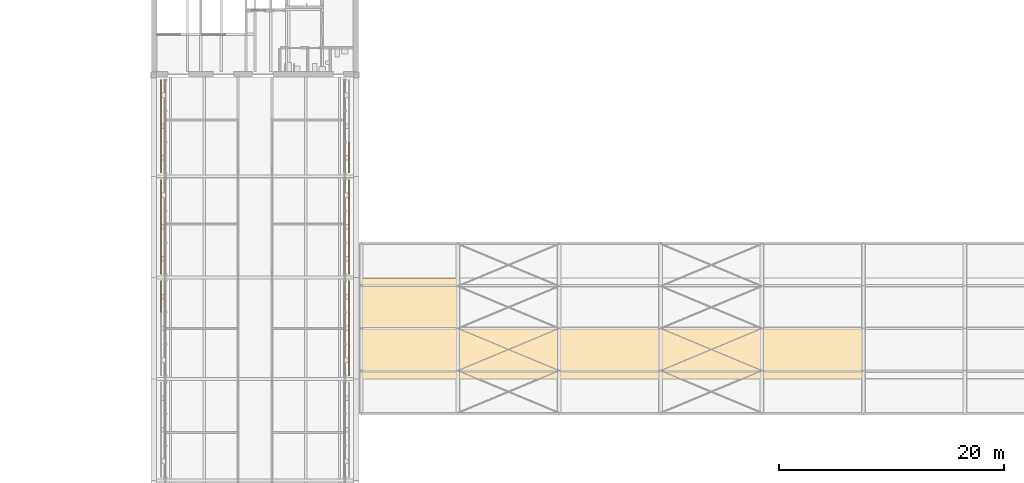
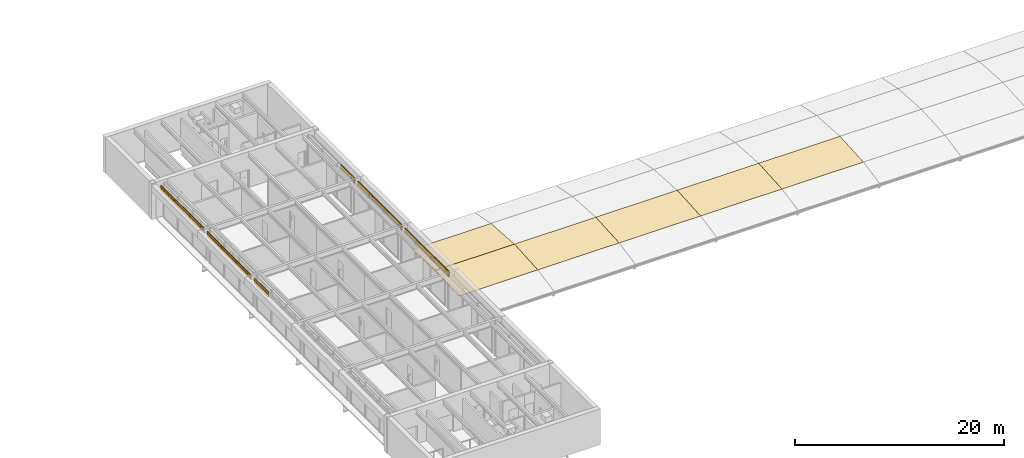
# One storey, part 38 of 43: 14 shading devices, 6 coverings.
"""IFC4 building model written with IfcOpenShell, lengths in metres."""

import ifcopenshell
import ifcopenshell.guid

model = None  # the IFC model being written
_history = None  # IfcOwnerHistory: only IFC2X3 demands one
_inside = {}  # id of a spatial element -> (the spatial element, [elements in it])
_under = {}  # id of a project, library or spatial element -> (it, [spatial elements below it])
_declared = {}  # id of a project -> (the project, [libraries it declares])
_typed = {}  # id of a type object -> (the type object, [elements of that type])
_made_of = {}  # id of a material, layer set ... -> (it, [elements and type objects made of it])


def new_model(schema):
    """Start an empty IFC model of exactly this schema.

    Asked for "IFC4X3", IfcOpenShell would pick the latest addendum, in which some entities
    have other attributes; the version numbers below select the first issue.
    IFC2X3 requires an IfcOwnerHistory on every rooted entity: one is made here for all.
    """
    global model, _history
    if schema == "IFC4X3":
        model = ifcopenshell.file(schema_version=(4, 3, 0, 0))
    else:
        model = ifcopenshell.file(schema=schema)
    _inside.clear()
    _under.clear()
    _declared.clear()
    _typed.clear()
    _made_of.clear()
    _history = None
    if model.schema == "IFC2X3":
        org = make("IfcOrganization", Name="unknown")
        user = make(
            "IfcPersonAndOrganization",
            ThePerson=make("IfcPerson", FamilyName="unknown"),
            TheOrganization=org,
        )
        app = make(
            "IfcApplication",
            ApplicationDeveloper=org,
            Version="unknown",
            ApplicationFullName="unknown",
            ApplicationIdentifier="unknown",
        )
        _history = make(
            "IfcOwnerHistory",
            OwningUser=user,
            OwningApplication=app,
            ChangeAction="ADDED",
            CreationDate=0,
        )
    return model


def make(cls, **values):
    """One entity of the class cls with the attributes given. An attribute that is None is left unset."""
    return model.create_entity(
        cls, **{name: value for name, value in values.items() if value is not None}
    )


def rooted(cls, **values):
    """An entity with a GlobalId (a new one), such as an element, a storey or a relation."""
    return make(cls, GlobalId=ifcopenshell.guid.new(), OwnerHistory=_history, **values)


def si_unit(unit_type, name, prefix=None):
    """IfcSIUnit, for example si_unit("LENGTHUNIT", "METRE", prefix="MILLI")."""
    return make("IfcSIUnit", UnitType=unit_type, Prefix=prefix, Name=name)


def assignment(units):
    """IfcUnitAssignment: the units of a project."""
    return None if units is None else make("IfcUnitAssignment", Units=units)


def point(xyz):
    """IfcCartesianPoint."""
    return None if xyz is None else make("IfcCartesianPoint", Coordinates=xyz)


def direction(xyz):
    """IfcDirection."""
    return None if xyz is None else make("IfcDirection", DirectionRatios=xyz)


def frame(location, z_axis=None, x_axis=None):
    """IfcAxis2Placement3D, a coordinate frame: its origin and axes. An axis left out is left unset."""
    return make(
        "IfcAxis2Placement3D",
        Location=point(location),
        Axis=direction(z_axis),
        RefDirection=direction(x_axis),
    )


def origin():
    """The frame at (0, 0, 0) with its axes left unset."""
    return frame((0.0, 0.0, 0.0))


def place(relative_to, where):
    """IfcLocalPlacement: puts the frame where relative to a parent placement (None: the world)."""
    return make(
        "IfcLocalPlacement", PlacementRelTo=relative_to, RelativePlacement=where
    )


def context(
    kind, dimensions, precision=None, world=None, true_north=None, identifier=None
):
    """IfcGeometricRepresentationContext, for example the 3D "Model" context."""
    return make(
        "IfcGeometricRepresentationContext",
        ContextIdentifier=identifier,
        ContextType=kind,
        CoordinateSpaceDimension=dimensions,
        Precision=precision,
        WorldCoordinateSystem=world,
        TrueNorth=true_north,
    )


def subcontext(parent, identifier, kind, view, scale=None):
    """IfcGeometricRepresentationSubContext, for example "Body" below "Model"."""
    return make(
        "IfcGeometricRepresentationSubContext",
        ContextIdentifier=identifier,
        ContextType=kind,
        ParentContext=parent,
        TargetScale=scale,
        TargetView=view,
    )


def project(units=None, contexts=None):
    """IfcProject with its units and contexts."""
    return rooted(
        "IfcProject",
        Name="project",
        RepresentationContexts=contexts,
        UnitsInContext=assignment(units),
    )


def spatial(cls, under=None, at=None, **own):
    """A site, building, storey or space (cls), placed at a placement, below another one or the project."""
    s = rooted(cls, ObjectPlacement=at, **own)
    if under is not None:
        _under.setdefault(under.id(), (under, []))[1].append(s)
    return s


def polyline(points):
    """IfcPolyline through the points."""
    return make("IfcPolyline", Points=[point(p) for p in points])


def outline(outer, holes=None, kind="AREA"):
    """IfcArbitraryClosedProfileDef: a profile drawn as a closed curve; with holes, ...WithVoids."""
    if holes is None:
        return make("IfcArbitraryClosedProfileDef", ProfileType=kind, OuterCurve=outer)
    return make(
        "IfcArbitraryProfileDefWithVoids",
        ProfileType=kind,
        OuterCurve=outer,
        InnerCurves=holes,
    )


def extrude(swept, where, along, depth):
    """IfcExtrudedAreaSolid: the profile swept, set in the frame where, extruded along a direction by depth."""
    return make(
        "IfcExtrudedAreaSolid",
        SweptArea=swept,
        Position=where,
        ExtrudedDirection=direction(along),
        Depth=depth,
    )


def shape(context_of_items, identifier, shape_type, items):
    """IfcShapeRepresentation: the items that make up one representation, for example the "Body"."""
    return make(
        "IfcShapeRepresentation",
        ContextOfItems=context_of_items,
        RepresentationIdentifier=identifier,
        RepresentationType=shape_type,
        Items=items,
    )


def material(Name=None, Category=None):
    """IfcMaterial."""
    return make("IfcMaterial", Name=Name, Category=Category)


def layer(
    of_material, thickness, ventilated=None, Name=None, Category=None, Priority=None
):
    """IfcMaterialLayer: one layer of a wall or slab, of a material (None: an air gap)."""
    return make(
        "IfcMaterialLayer",
        Material=of_material,
        LayerThickness=thickness,
        IsVentilated=ventilated,
        Name=Name,
        Category=Category,
        Priority=Priority,
    )


def layer_set(layers, Name=None):
    """IfcMaterialLayerSet."""
    return make("IfcMaterialLayerSet", MaterialLayers=layers, LayerSetName=Name)


def made_of(thing, what):
    """Note that an element or type object is made of a material, layer set ...; save() writes the relation."""
    if what is not None:
        _made_of.setdefault(what.id(), (what, []))[1].append(thing)
    return thing


def type_object(cls, material=None, **own):
    """A type object (cls), such as IfcWallType, which elements share."""
    return made_of(rooted(cls, **own), material)


def element(
    cls,
    number,
    at=None,
    inside=None,
    cuts=None,
    type_object=None,
    material=None,
    context=None,
    identifier="Body",
    shape_type=None,
    held_by="IfcProductDefinitionShape",
    body=None,
    shapes=None,
    **own,
):
    """One element of the class cls, such as IfcWall. Its Tag is "e" and its number.

    at: its placement. inside: the storey or other place that contains it. cuts: it is an
    opening in that element (IfcRelVoidsElement). A single representation is given by context,
    identifier, shape_type and body (its items); several are given by shapes. held_by: the class
    of the entity that holds the representations. save() writes the other relations.
    """
    e = rooted(cls, Tag="e%d" % number, ObjectPlacement=at, **own)
    if body is not None:
        shapes = [shape(context, identifier, shape_type, body)]
    if shapes is not None:
        e.Representation = make(held_by, Representations=shapes)
    if inside is not None:
        _inside.setdefault(inside.id(), (inside, []))[1].append(e)
    if cuts is not None:
        rooted(
            "IfcRelVoidsElement", RelatingBuildingElement=cuts, RelatedOpeningElement=e
        )
    if type_object is not None:
        _typed.setdefault(type_object.id(), (type_object, []))[1].append(e)
    return made_of(e, material)


def aggregate(whole, parts):
    """IfcRelAggregates: a whole, such as a stair, and the parts it consists of."""
    return rooted("IfcRelAggregates", RelatingObject=whole, RelatedObjects=parts)


def save(model, path):
    """Write the relations noted so far, then the file.

    IfcRelAggregates (storeys below a building ...), IfcRelContainedInSpatialStructure (elements
    in a storey), IfcRelDefinesByType, IfcRelAssociatesMaterial and IfcRelDeclares: one each for
    every whole, place, type object, material and project.
    """
    for whole, parts in _under.values():
        aggregate(whole, parts)
    for where, things in _inside.values():
        rooted(
            "IfcRelContainedInSpatialStructure",
            RelatedElements=things,
            RelatingStructure=where,
        )
    for kind, things in _typed.values():
        rooted("IfcRelDefinesByType", RelatedObjects=things, RelatingType=kind)
    for what, things in _made_of.values():
        rooted("IfcRelAssociatesMaterial", RelatedObjects=things, RelatingMaterial=what)
    for by, libraries in _declared.values():
        rooted("IfcRelDeclares", RelatingContext=by, RelatedDefinitions=libraries)
    model.write(path)


model = new_model("IFC4")

# Units and contexts
model_context = context("Model", 3, precision=1e-05, world=origin(), true_north=direction((0.0, 1.0)))
body_context = subcontext(model_context, "Body", "Model", "MODEL_VIEW")
ifc_project = project(units=[si_unit("LENGTHUNIT", "METRE"), si_unit("AREAUNIT", "SQUARE_METRE"), si_unit("VOLUMEUNIT", "CUBIC_METRE"), si_unit("PLANEANGLEUNIT", "RADIAN"), si_unit("MASSUNIT", "GRAM", prefix="KILO")], contexts=[model_context])

# Site, building, storey
site_placement = place(None, origin())
site = spatial("IfcSite", under=ifc_project, at=site_placement, CompositionType="ELEMENT")
building_placement = place(site_placement, origin())
building = spatial("IfcBuilding", under=site, at=building_placement, Name="Baradari Gate Terminus", CompositionType="ELEMENT")
storey_placement = place(building_placement, frame((0.0, 0.0, 20.10009765625)))
storey = spatial("IfcBuildingStorey", under=building, at=storey_placement, Name="L04", CompositionType="ELEMENT", Elevation=20.10009765625)

# Shading devices
ifc_material_1 = material(Name="Concrete C50/60 precast", Category="concrete")
ifc_layer_1 = layer(ifc_material_1, 0.080078125)
ifc_layer_set_1 = layer_set([ifc_layer_1], Name="Concrete C50/60 precast")
shading_device_type = type_object("IfcShadingDeviceType", Name="Jali screen panel JS-3 80", PredefinedType="SHUTTER", material=ifc_layer_set_1)
shading_device_1_placement = place(storey_placement, frame((72.659912109375, 59.936767578125, 3.27978515625), z_axis=(0.0, 0.0, 1.0), x_axis=(0.0, 1.0, 0.0)))
element("IfcShadingDevice", 1, at=shading_device_1_placement, inside=storey, type_object=shading_device_type, Name="Jali screen panel JS-1 L04/GW3 bay 3", PredefinedType="SHUTTER", context=body_context, shape_type="SweptSolid", body=[
    extrude(outline(polyline([(0.0, 0.0), (2.773193359375, 0.0), (2.773193359375, 0.60009765625), (0.0, 0.60009765625), (0.0, 0.0)]), holes=[polyline([(0.328125, 0.300048828125), (0.26318359375, 0.1875), (0.133056640625, 0.1875), (0.068115234375, 0.300048828125), (0.133056640625, 0.41259765625), (0.26318359375, 0.41259765625), (0.328125, 0.300048828125)]), polyline([(0.724365234375, 0.300048828125), (0.6591796875, 0.1875), (0.529296875, 0.1875), (0.46435546875, 0.300048828125), (0.529296875, 0.41259765625), (0.6591796875, 0.41259765625), (0.724365234375, 0.300048828125)]), polyline([(1.120361328125, 0.300048828125), (1.055419921875, 0.1875), (0.925537109375, 0.1875), (0.860595703125, 0.300048828125), (0.925537109375, 0.41259765625), (1.055419921875, 0.41259765625), (1.120361328125, 0.300048828125)]), polyline([(1.5166015625, 0.300048828125), (1.45166015625, 0.1875), (1.32177734375, 0.1875), (1.256591796875, 0.300048828125), (1.32177734375, 0.41259765625), (1.45166015625, 0.41259765625), (1.5166015625, 0.300048828125)]), polyline([(1.912841796875, 0.300048828125), (1.847900390625, 0.1875), (1.7177734375, 0.1875), (1.65283203125, 0.300048828125), (1.7177734375, 0.41259765625), (1.847900390625, 0.41259765625), (1.912841796875, 0.300048828125)]), polyline([(2.30908203125, 0.300048828125), (2.244140625, 0.1875), (2.114013671875, 0.1875), (2.049072265625, 0.300048828125), (2.114013671875, 0.41259765625), (2.244140625, 0.41259765625), (2.30908203125, 0.300048828125)]), polyline([(2.705322265625, 0.300048828125), (2.64013671875, 0.1875), (2.51025390625, 0.1875), (2.4453125, 0.300048828125), (2.51025390625, 0.41259765625), (2.64013671875, 0.41259765625), (2.705322265625, 0.300048828125)])]), frame((0.0, 0.0400390625, 0.0), z_axis=(0.0, -1.0, 0.0), x_axis=(1.0, 0.0, 0.0)), (0.0, 0.0, 1.0), 0.080078125),
])
shading_device_2_placement = place(storey_placement, frame((72.659912109375, 63.2900390625, 3.27978515625), z_axis=(0.0, 0.0, 1.0), x_axis=(0.0, 1.0, 0.0)))
element("IfcShadingDevice", 2, at=shading_device_2_placement, inside=storey, type_object=shading_device_type, Name="Jali screen panel JS-1 L04/GW4 bay 1", PredefinedType="SHUTTER", context=body_context, shape_type="SweptSolid", body=[
    extrude(outline(polyline([(0.0, 0.0), (2.773193359375, 0.0), (2.773193359375, 0.60009765625), (0.0, 0.60009765625), (0.0, 0.0)]), holes=[polyline([(0.328125, 0.300048828125), (0.26318359375, 0.1875), (0.133056640625, 0.1875), (0.068115234375, 0.300048828125), (0.133056640625, 0.41259765625), (0.26318359375, 0.41259765625), (0.328125, 0.300048828125)]), polyline([(0.724365234375, 0.300048828125), (0.6591796875, 0.1875), (0.529296875, 0.1875), (0.46435546875, 0.300048828125), (0.529296875, 0.41259765625), (0.6591796875, 0.41259765625), (0.724365234375, 0.300048828125)]), polyline([(1.120361328125, 0.300048828125), (1.055419921875, 0.1875), (0.925537109375, 0.1875), (0.860595703125, 0.300048828125), (0.925537109375, 0.41259765625), (1.055419921875, 0.41259765625), (1.120361328125, 0.300048828125)]), polyline([(1.5166015625, 0.300048828125), (1.45166015625, 0.1875), (1.32177734375, 0.1875), (1.256591796875, 0.300048828125), (1.32177734375, 0.41259765625), (1.45166015625, 0.41259765625), (1.5166015625, 0.300048828125)]), polyline([(1.912841796875, 0.300048828125), (1.847900390625, 0.1875), (1.7177734375, 0.1875), (1.65283203125, 0.300048828125), (1.7177734375, 0.41259765625), (1.847900390625, 0.41259765625), (1.912841796875, 0.300048828125)]), polyline([(2.30908203125, 0.300048828125), (2.244140625, 0.1875), (2.114013671875, 0.1875), (2.049072265625, 0.300048828125), (2.114013671875, 0.41259765625), (2.244140625, 0.41259765625), (2.30908203125, 0.300048828125)]), polyline([(2.705322265625, 0.300048828125), (2.64013671875, 0.1875), (2.51025390625, 0.1875), (2.4453125, 0.300048828125), (2.51025390625, 0.41259765625), (2.64013671875, 0.41259765625), (2.705322265625, 0.300048828125)])]), frame((0.0, 0.0400390625, 0.0), z_axis=(0.0, -1.0, 0.0), x_axis=(1.0, 0.0, 0.0)), (0.0, 0.0, 1.0), 0.080078125),
])
shading_device_3_placement = place(storey_placement, frame((72.659912109375, 66.103271484375, 3.27978515625), z_axis=(0.0, 0.0, 1.0), x_axis=(0.0, 1.0, 0.0)))
element("IfcShadingDevice", 3, at=shading_device_3_placement, inside=storey, type_object=shading_device_type, Name="Jali screen panel JS-1 L04/GW4 bay 2", PredefinedType="SHUTTER", context=body_context, shape_type="SweptSolid", body=[
    extrude(outline(polyline([(0.0, 0.0), (2.79345703125, 0.0), (2.79345703125, 0.60009765625), (0.0, 0.60009765625), (0.0, 0.0)]), holes=[polyline([(0.32958984375, 0.300048828125), (0.264404296875, 0.1875), (0.134521484375, 0.1875), (0.069580078125, 0.300048828125), (0.134521484375, 0.41259765625), (0.264404296875, 0.41259765625), (0.32958984375, 0.300048828125)]), polyline([(0.728515625, 0.300048828125), (0.66357421875, 0.1875), (0.53369140625, 0.1875), (0.468505859375, 0.300048828125), (0.53369140625, 0.41259765625), (0.66357421875, 0.41259765625), (0.728515625, 0.300048828125)]), polyline([(1.127685546875, 0.300048828125), (1.0625, 0.1875), (0.9326171875, 0.1875), (0.86767578125, 0.300048828125), (0.9326171875, 0.41259765625), (1.0625, 0.41259765625), (1.127685546875, 0.300048828125)]), polyline([(1.526611328125, 0.300048828125), (1.461669921875, 0.1875), (1.331787109375, 0.1875), (1.2666015625, 0.300048828125), (1.331787109375, 0.41259765625), (1.461669921875, 0.41259765625), (1.526611328125, 0.300048828125)]), polyline([(1.92578125, 0.300048828125), (1.860595703125, 0.1875), (1.730712890625, 0.1875), (1.665771484375, 0.300048828125), (1.730712890625, 0.41259765625), (1.860595703125, 0.41259765625), (1.92578125, 0.300048828125)]), polyline([(2.32470703125, 0.300048828125), (2.259765625, 0.1875), (2.1298828125, 0.1875), (2.064697265625, 0.300048828125), (2.1298828125, 0.41259765625), (2.259765625, 0.41259765625), (2.32470703125, 0.300048828125)]), polyline([(2.723876953125, 0.300048828125), (2.65869140625, 0.1875), (2.52880859375, 0.1875), (2.4638671875, 0.300048828125), (2.52880859375, 0.41259765625), (2.65869140625, 0.41259765625), (2.723876953125, 0.300048828125)])]), frame((0.0, 0.0400390625, 0.0), z_axis=(0.0, -1.0, 0.0), x_axis=(1.0, 0.0, 0.0)), (0.0, 0.0, 1.0), 0.080078125),
])
shading_device_4_placement = place(storey_placement, frame((72.659912109375, 68.936767578125, 3.27978515625), z_axis=(0.0, 0.0, 1.0), x_axis=(0.0, 1.0, 0.0)))
element("IfcShadingDevice", 4, at=shading_device_4_placement, inside=storey, type_object=shading_device_type, Name="Jali screen panel JS-1 L04/GW4 bay 3", PredefinedType="SHUTTER", context=body_context, shape_type="SweptSolid", body=[
    extrude(outline(polyline([(0.0, 0.0), (2.773193359375, 0.0), (2.773193359375, 0.60009765625), (0.0, 0.60009765625), (0.0, 0.0)]), holes=[polyline([(0.328125, 0.300048828125), (0.26318359375, 0.1875), (0.133056640625, 0.1875), (0.068115234375, 0.300048828125), (0.133056640625, 0.41259765625), (0.26318359375, 0.41259765625), (0.328125, 0.300048828125)]), polyline([(0.724365234375, 0.300048828125), (0.6591796875, 0.1875), (0.529296875, 0.1875), (0.46435546875, 0.300048828125), (0.529296875, 0.41259765625), (0.6591796875, 0.41259765625), (0.724365234375, 0.300048828125)]), polyline([(1.120361328125, 0.300048828125), (1.055419921875, 0.1875), (0.925537109375, 0.1875), (0.860595703125, 0.300048828125), (0.925537109375, 0.41259765625), (1.055419921875, 0.41259765625), (1.120361328125, 0.300048828125)]), polyline([(1.5166015625, 0.300048828125), (1.45166015625, 0.1875), (1.32177734375, 0.1875), (1.256591796875, 0.300048828125), (1.32177734375, 0.41259765625), (1.45166015625, 0.41259765625), (1.5166015625, 0.300048828125)]), polyline([(1.912841796875, 0.300048828125), (1.847900390625, 0.1875), (1.7177734375, 0.1875), (1.65283203125, 0.300048828125), (1.7177734375, 0.41259765625), (1.847900390625, 0.41259765625), (1.912841796875, 0.300048828125)]), polyline([(2.30908203125, 0.300048828125), (2.244140625, 0.1875), (2.114013671875, 0.1875), (2.049072265625, 0.300048828125), (2.114013671875, 0.41259765625), (2.244140625, 0.41259765625), (2.30908203125, 0.300048828125)]), polyline([(2.705322265625, 0.300048828125), (2.64013671875, 0.1875), (2.51025390625, 0.1875), (2.4453125, 0.300048828125), (2.51025390625, 0.41259765625), (2.64013671875, 0.41259765625), (2.705322265625, 0.300048828125)])]), frame((0.0, 0.0400390625, 0.0), z_axis=(0.0, -1.0, 0.0), x_axis=(1.0, 0.0, 0.0)), (0.0, 0.0, 1.0), 0.080078125),
])
shading_device_5_placement = place(storey_placement, frame((72.659912109375, 72.2900390625, 3.27978515625), z_axis=(0.0, 0.0, 1.0), x_axis=(0.0, 1.0, 0.0)))
element("IfcShadingDevice", 5, at=shading_device_5_placement, inside=storey, type_object=shading_device_type, Name="Jali screen panel JS-1 L04/GW5 bay 1", PredefinedType="SHUTTER", context=body_context, shape_type="SweptSolid", body=[
    extrude(outline(polyline([(0.0, 0.0), (2.723388671875, 0.0), (2.723388671875, 0.60009765625), (0.0, 0.60009765625), (0.0, 0.0)]), holes=[polyline([(0.35693359375, 0.300048828125), (0.2919921875, 0.1875), (0.161865234375, 0.1875), (0.096923828125, 0.300048828125), (0.161865234375, 0.41259765625), (0.2919921875, 0.41259765625), (0.35693359375, 0.300048828125)]), polyline([(0.810791015625, 0.300048828125), (0.745849609375, 0.1875), (0.61572265625, 0.1875), (0.55078125, 0.300048828125), (0.61572265625, 0.41259765625), (0.745849609375, 0.41259765625), (0.810791015625, 0.300048828125)]), polyline([(1.2646484375, 0.300048828125), (1.19970703125, 0.1875), (1.06982421875, 0.1875), (1.004638671875, 0.300048828125), (1.06982421875, 0.41259765625), (1.19970703125, 0.41259765625), (1.2646484375, 0.300048828125)]), polyline([(1.718505859375, 0.300048828125), (1.653564453125, 0.1875), (1.523681640625, 0.1875), (1.45849609375, 0.300048828125), (1.523681640625, 0.41259765625), (1.653564453125, 0.41259765625), (1.718505859375, 0.300048828125)]), polyline([(2.172607421875, 0.300048828125), (2.107421875, 0.1875), (1.9775390625, 0.1875), (1.91259765625, 0.300048828125), (1.9775390625, 0.41259765625), (2.107421875, 0.41259765625), (2.172607421875, 0.300048828125)]), polyline([(2.62646484375, 0.300048828125), (2.561279296875, 0.1875), (2.431396484375, 0.1875), (2.366455078125, 0.300048828125), (2.431396484375, 0.41259765625), (2.561279296875, 0.41259765625), (2.62646484375, 0.300048828125)])]), frame((0.0, 0.0400390625, 0.0), z_axis=(0.0, -1.0, 0.0), x_axis=(1.0, 0.0, 0.0)), (0.0, 0.0, 1.0), 0.080078125),
])
shading_device_6_placement = place(storey_placement, frame((72.659912109375, 75.05322265625, 3.27978515625), z_axis=(0.0, 0.0, 1.0), x_axis=(0.0, 1.0, 0.0)))
element("IfcShadingDevice", 6, at=shading_device_6_placement, inside=storey, type_object=shading_device_type, Name="Jali screen panel JS-1 L04/GW5 bay 2", PredefinedType="SHUTTER", context=body_context, shape_type="SweptSolid", body=[
    extrude(outline(polyline([(0.0, 0.0), (2.743408203125, 0.0), (2.743408203125, 0.60009765625), (0.0, 0.60009765625), (0.0, 0.0)]), holes=[polyline([(0.325927734375, 0.300048828125), (0.260986328125, 0.1875), (0.130859375, 0.1875), (0.06591796875, 0.300048828125), (0.130859375, 0.41259765625), (0.260986328125, 0.41259765625), (0.325927734375, 0.300048828125)]), polyline([(0.7177734375, 0.300048828125), (0.65283203125, 0.1875), (0.52294921875, 0.1875), (0.457763671875, 0.300048828125), (0.52294921875, 0.41259765625), (0.65283203125, 0.41259765625), (0.7177734375, 0.300048828125)]), polyline([(1.10986328125, 0.300048828125), (1.044677734375, 0.1875), (0.914794921875, 0.1875), (0.849853515625, 0.300048828125), (0.914794921875, 0.41259765625), (1.044677734375, 0.41259765625), (1.10986328125, 0.300048828125)]), polyline([(1.501708984375, 0.300048828125), (1.436767578125, 0.1875), (1.306640625, 0.1875), (1.24169921875, 0.300048828125), (1.306640625, 0.41259765625), (1.436767578125, 0.41259765625), (1.501708984375, 0.300048828125)]), polyline([(1.8935546875, 0.300048828125), (1.82861328125, 0.1875), (1.698486328125, 0.1875), (1.633544921875, 0.300048828125), (1.698486328125, 0.41259765625), (1.82861328125, 0.41259765625), (1.8935546875, 0.300048828125)]), polyline([(2.285400390625, 0.300048828125), (2.220458984375, 0.1875), (2.090576171875, 0.1875), (2.025390625, 0.300048828125), (2.090576171875, 0.41259765625), (2.220458984375, 0.41259765625), (2.285400390625, 0.300048828125)]), polyline([(2.677490234375, 0.300048828125), (2.6123046875, 0.1875), (2.482421875, 0.1875), (2.41748046875, 0.300048828125), (2.482421875, 0.41259765625), (2.6123046875, 0.41259765625), (2.677490234375, 0.300048828125)])]), frame((0.0, 0.0400390625, 0.0), z_axis=(0.0, -1.0, 0.0), x_axis=(1.0, 0.0, 0.0)), (0.0, 0.0, 1.0), 0.080078125),
])
shading_device_7_placement = place(storey_placement, frame((72.659912109375, 77.836669921875, 3.27978515625), z_axis=(0.0, 0.0, 1.0), x_axis=(0.0, 1.0, 0.0)))
element("IfcShadingDevice", 7, at=shading_device_7_placement, inside=storey, type_object=shading_device_type, Name="Jali screen panel JS-1 L04/GW5 bay 3", PredefinedType="SHUTTER", context=body_context, shape_type="SweptSolid", body=[
    extrude(outline(polyline([(0.0, 0.0), (2.723388671875, 0.0), (2.723388671875, 0.60009765625), (0.0, 0.60009765625), (0.0, 0.0)]), holes=[polyline([(0.35693359375, 0.300048828125), (0.2919921875, 0.1875), (0.161865234375, 0.1875), (0.096923828125, 0.300048828125), (0.161865234375, 0.41259765625), (0.2919921875, 0.41259765625), (0.35693359375, 0.300048828125)]), polyline([(0.810791015625, 0.300048828125), (0.745849609375, 0.1875), (0.61572265625, 0.1875), (0.55078125, 0.300048828125), (0.61572265625, 0.41259765625), (0.745849609375, 0.41259765625), (0.810791015625, 0.300048828125)]), polyline([(1.2646484375, 0.300048828125), (1.19970703125, 0.1875), (1.06982421875, 0.1875), (1.004638671875, 0.300048828125), (1.06982421875, 0.41259765625), (1.19970703125, 0.41259765625), (1.2646484375, 0.300048828125)]), polyline([(1.718505859375, 0.300048828125), (1.653564453125, 0.1875), (1.523681640625, 0.1875), (1.45849609375, 0.300048828125), (1.523681640625, 0.41259765625), (1.653564453125, 0.41259765625), (1.718505859375, 0.300048828125)]), polyline([(2.172607421875, 0.300048828125), (2.107421875, 0.1875), (1.9775390625, 0.1875), (1.91259765625, 0.300048828125), (1.9775390625, 0.41259765625), (2.107421875, 0.41259765625), (2.172607421875, 0.300048828125)]), polyline([(2.62646484375, 0.300048828125), (2.561279296875, 0.1875), (2.431396484375, 0.1875), (2.366455078125, 0.300048828125), (2.431396484375, 0.41259765625), (2.561279296875, 0.41259765625), (2.62646484375, 0.300048828125)])]), frame((0.0, 0.0400390625, 0.0), z_axis=(0.0, -1.0, 0.0), x_axis=(1.0, 0.0, 0.0)), (0.0, 0.0, 1.0), 0.080078125),
])
shading_device_8_placement = place(storey_placement, frame((89.340087890625, 54.2900390625, 3.27978515625), z_axis=(0.0, 0.0, 1.0), x_axis=(0.0, 1.0, 0.0)))
element("IfcShadingDevice", 8, at=shading_device_8_placement, inside=storey, type_object=shading_device_type, Name="Jali screen panel JS-1 L04/GE3 bay 1", PredefinedType="SHUTTER", context=body_context, shape_type="SweptSolid", body=[
    extrude(outline(polyline([(0.0, 0.0), (2.773193359375, 0.0), (2.773193359375, 0.60009765625), (0.0, 0.60009765625), (0.0, 0.0)]), holes=[polyline([(0.328125, 0.300048828125), (0.26318359375, 0.1875), (0.133056640625, 0.1875), (0.068115234375, 0.300048828125), (0.133056640625, 0.41259765625), (0.26318359375, 0.41259765625), (0.328125, 0.300048828125)]), polyline([(0.724365234375, 0.300048828125), (0.6591796875, 0.1875), (0.529296875, 0.1875), (0.46435546875, 0.300048828125), (0.529296875, 0.41259765625), (0.6591796875, 0.41259765625), (0.724365234375, 0.300048828125)]), polyline([(1.120361328125, 0.300048828125), (1.055419921875, 0.1875), (0.925537109375, 0.1875), (0.860595703125, 0.300048828125), (0.925537109375, 0.41259765625), (1.055419921875, 0.41259765625), (1.120361328125, 0.300048828125)]), polyline([(1.5166015625, 0.300048828125), (1.45166015625, 0.1875), (1.32177734375, 0.1875), (1.256591796875, 0.300048828125), (1.32177734375, 0.41259765625), (1.45166015625, 0.41259765625), (1.5166015625, 0.300048828125)]), polyline([(1.912841796875, 0.300048828125), (1.847900390625, 0.1875), (1.7177734375, 0.1875), (1.65283203125, 0.300048828125), (1.7177734375, 0.41259765625), (1.847900390625, 0.41259765625), (1.912841796875, 0.300048828125)]), polyline([(2.30908203125, 0.300048828125), (2.244140625, 0.1875), (2.114013671875, 0.1875), (2.049072265625, 0.300048828125), (2.114013671875, 0.41259765625), (2.244140625, 0.41259765625), (2.30908203125, 0.300048828125)]), polyline([(2.705322265625, 0.300048828125), (2.64013671875, 0.1875), (2.51025390625, 0.1875), (2.4453125, 0.300048828125), (2.51025390625, 0.41259765625), (2.64013671875, 0.41259765625), (2.705322265625, 0.300048828125)])]), frame((0.0, 0.0400390625, 0.0), z_axis=(0.0, -1.0, 0.0), x_axis=(1.0, 0.0, 0.0)), (0.0, 0.0, 1.0), 0.080078125),
])
shading_device_9_placement = place(storey_placement, frame((89.340087890625, 57.103271484375, 3.27978515625), z_axis=(0.0, 0.0, 1.0), x_axis=(0.0, 1.0, 0.0)))
element("IfcShadingDevice", 9, at=shading_device_9_placement, inside=storey, type_object=shading_device_type, Name="Jali screen panel JS-1 L04/GE3 bay 2", PredefinedType="SHUTTER", context=body_context, shape_type="SweptSolid", body=[
    extrude(outline(polyline([(0.0, 0.0), (2.79345703125, 0.0), (2.79345703125, 0.60009765625), (0.0, 0.60009765625), (0.0, 0.0)]), holes=[polyline([(0.32958984375, 0.300048828125), (0.264404296875, 0.1875), (0.134521484375, 0.1875), (0.069580078125, 0.300048828125), (0.134521484375, 0.41259765625), (0.264404296875, 0.41259765625), (0.32958984375, 0.300048828125)]), polyline([(0.728515625, 0.300048828125), (0.66357421875, 0.1875), (0.53369140625, 0.1875), (0.468505859375, 0.300048828125), (0.53369140625, 0.41259765625), (0.66357421875, 0.41259765625), (0.728515625, 0.300048828125)]), polyline([(1.127685546875, 0.300048828125), (1.0625, 0.1875), (0.9326171875, 0.1875), (0.86767578125, 0.300048828125), (0.9326171875, 0.41259765625), (1.0625, 0.41259765625), (1.127685546875, 0.300048828125)]), polyline([(1.526611328125, 0.300048828125), (1.461669921875, 0.1875), (1.331787109375, 0.1875), (1.2666015625, 0.300048828125), (1.331787109375, 0.41259765625), (1.461669921875, 0.41259765625), (1.526611328125, 0.300048828125)]), polyline([(1.92578125, 0.300048828125), (1.860595703125, 0.1875), (1.730712890625, 0.1875), (1.665771484375, 0.300048828125), (1.730712890625, 0.41259765625), (1.860595703125, 0.41259765625), (1.92578125, 0.300048828125)]), polyline([(2.32470703125, 0.300048828125), (2.259765625, 0.1875), (2.1298828125, 0.1875), (2.064697265625, 0.300048828125), (2.1298828125, 0.41259765625), (2.259765625, 0.41259765625), (2.32470703125, 0.300048828125)]), polyline([(2.723876953125, 0.300048828125), (2.65869140625, 0.1875), (2.52880859375, 0.1875), (2.4638671875, 0.300048828125), (2.52880859375, 0.41259765625), (2.65869140625, 0.41259765625), (2.723876953125, 0.300048828125)])]), frame((0.0, 0.0400390625, 0.0), z_axis=(0.0, -1.0, 0.0), x_axis=(1.0, 0.0, 0.0)), (0.0, 0.0, 1.0), 0.080078125),
])
shading_device_10_placement = place(storey_placement, frame((89.340087890625, 59.936767578125, 3.27978515625), z_axis=(0.0, 0.0, 1.0), x_axis=(0.0, 1.0, 0.0)))
element("IfcShadingDevice", 10, at=shading_device_10_placement, inside=storey, type_object=shading_device_type, Name="Jali screen panel JS-1 L04/GE3 bay 3", PredefinedType="SHUTTER", context=body_context, shape_type="SweptSolid", body=[
    extrude(outline(polyline([(0.0, 0.0), (2.773193359375, 0.0), (2.773193359375, 0.60009765625), (0.0, 0.60009765625), (0.0, 0.0)]), holes=[polyline([(0.328125, 0.300048828125), (0.26318359375, 0.1875), (0.133056640625, 0.1875), (0.068115234375, 0.300048828125), (0.133056640625, 0.41259765625), (0.26318359375, 0.41259765625), (0.328125, 0.300048828125)]), polyline([(0.724365234375, 0.300048828125), (0.6591796875, 0.1875), (0.529296875, 0.1875), (0.46435546875, 0.300048828125), (0.529296875, 0.41259765625), (0.6591796875, 0.41259765625), (0.724365234375, 0.300048828125)]), polyline([(1.120361328125, 0.300048828125), (1.055419921875, 0.1875), (0.925537109375, 0.1875), (0.860595703125, 0.300048828125), (0.925537109375, 0.41259765625), (1.055419921875, 0.41259765625), (1.120361328125, 0.300048828125)]), polyline([(1.5166015625, 0.300048828125), (1.45166015625, 0.1875), (1.32177734375, 0.1875), (1.256591796875, 0.300048828125), (1.32177734375, 0.41259765625), (1.45166015625, 0.41259765625), (1.5166015625, 0.300048828125)]), polyline([(1.912841796875, 0.300048828125), (1.847900390625, 0.1875), (1.7177734375, 0.1875), (1.65283203125, 0.300048828125), (1.7177734375, 0.41259765625), (1.847900390625, 0.41259765625), (1.912841796875, 0.300048828125)]), polyline([(2.30908203125, 0.300048828125), (2.244140625, 0.1875), (2.114013671875, 0.1875), (2.049072265625, 0.300048828125), (2.114013671875, 0.41259765625), (2.244140625, 0.41259765625), (2.30908203125, 0.300048828125)]), polyline([(2.705322265625, 0.300048828125), (2.64013671875, 0.1875), (2.51025390625, 0.1875), (2.4453125, 0.300048828125), (2.51025390625, 0.41259765625), (2.64013671875, 0.41259765625), (2.705322265625, 0.300048828125)])]), frame((0.0, 0.0400390625, 0.0), z_axis=(0.0, -1.0, 0.0), x_axis=(1.0, 0.0, 0.0)), (0.0, 0.0, 1.0), 0.080078125),
])
shading_device_11_placement = place(storey_placement, frame((89.340087890625, 63.2900390625, 3.27978515625), z_axis=(0.0, 0.0, 1.0), x_axis=(0.0, 1.0, 0.0)))
element("IfcShadingDevice", 11, at=shading_device_11_placement, inside=storey, type_object=shading_device_type, Name="Jali screen panel JS-1 L04/GE4 bay 1", PredefinedType="SHUTTER", context=body_context, shape_type="SweptSolid", body=[
    extrude(outline(polyline([(0.0, 0.0), (2.773193359375, 0.0), (2.773193359375, 0.60009765625), (0.0, 0.60009765625), (0.0, 0.0)]), holes=[polyline([(0.328125, 0.300048828125), (0.26318359375, 0.1875), (0.133056640625, 0.1875), (0.068115234375, 0.300048828125), (0.133056640625, 0.41259765625), (0.26318359375, 0.41259765625), (0.328125, 0.300048828125)]), polyline([(0.724365234375, 0.300048828125), (0.6591796875, 0.1875), (0.529296875, 0.1875), (0.46435546875, 0.300048828125), (0.529296875, 0.41259765625), (0.6591796875, 0.41259765625), (0.724365234375, 0.300048828125)]), polyline([(1.120361328125, 0.300048828125), (1.055419921875, 0.1875), (0.925537109375, 0.1875), (0.860595703125, 0.300048828125), (0.925537109375, 0.41259765625), (1.055419921875, 0.41259765625), (1.120361328125, 0.300048828125)]), polyline([(1.5166015625, 0.300048828125), (1.45166015625, 0.1875), (1.32177734375, 0.1875), (1.256591796875, 0.300048828125), (1.32177734375, 0.41259765625), (1.45166015625, 0.41259765625), (1.5166015625, 0.300048828125)]), polyline([(1.912841796875, 0.300048828125), (1.847900390625, 0.1875), (1.7177734375, 0.1875), (1.65283203125, 0.300048828125), (1.7177734375, 0.41259765625), (1.847900390625, 0.41259765625), (1.912841796875, 0.300048828125)]), polyline([(2.30908203125, 0.300048828125), (2.244140625, 0.1875), (2.114013671875, 0.1875), (2.049072265625, 0.300048828125), (2.114013671875, 0.41259765625), (2.244140625, 0.41259765625), (2.30908203125, 0.300048828125)]), polyline([(2.705322265625, 0.300048828125), (2.64013671875, 0.1875), (2.51025390625, 0.1875), (2.4453125, 0.300048828125), (2.51025390625, 0.41259765625), (2.64013671875, 0.41259765625), (2.705322265625, 0.300048828125)])]), frame((0.0, 0.0400390625, 0.0), z_axis=(0.0, -1.0, 0.0), x_axis=(1.0, 0.0, 0.0)), (0.0, 0.0, 1.0), 0.080078125),
])
shading_device_12_placement = place(storey_placement, frame((89.340087890625, 66.103271484375, 3.27978515625), z_axis=(0.0, 0.0, 1.0), x_axis=(0.0, 1.0, 0.0)))
element("IfcShadingDevice", 12, at=shading_device_12_placement, inside=storey, type_object=shading_device_type, Name="Jali screen panel JS-1 L04/GE4 bay 2", PredefinedType="SHUTTER", context=body_context, shape_type="SweptSolid", body=[
    extrude(outline(polyline([(0.0, 0.0), (2.79345703125, 0.0), (2.79345703125, 0.60009765625), (0.0, 0.60009765625), (0.0, 0.0)]), holes=[polyline([(0.32958984375, 0.300048828125), (0.264404296875, 0.1875), (0.134521484375, 0.1875), (0.069580078125, 0.300048828125), (0.134521484375, 0.41259765625), (0.264404296875, 0.41259765625), (0.32958984375, 0.300048828125)]), polyline([(0.728515625, 0.300048828125), (0.66357421875, 0.1875), (0.53369140625, 0.1875), (0.468505859375, 0.300048828125), (0.53369140625, 0.41259765625), (0.66357421875, 0.41259765625), (0.728515625, 0.300048828125)]), polyline([(1.127685546875, 0.300048828125), (1.0625, 0.1875), (0.9326171875, 0.1875), (0.86767578125, 0.300048828125), (0.9326171875, 0.41259765625), (1.0625, 0.41259765625), (1.127685546875, 0.300048828125)]), polyline([(1.526611328125, 0.300048828125), (1.461669921875, 0.1875), (1.331787109375, 0.1875), (1.2666015625, 0.300048828125), (1.331787109375, 0.41259765625), (1.461669921875, 0.41259765625), (1.526611328125, 0.300048828125)]), polyline([(1.92578125, 0.300048828125), (1.860595703125, 0.1875), (1.730712890625, 0.1875), (1.665771484375, 0.300048828125), (1.730712890625, 0.41259765625), (1.860595703125, 0.41259765625), (1.92578125, 0.300048828125)]), polyline([(2.32470703125, 0.300048828125), (2.259765625, 0.1875), (2.1298828125, 0.1875), (2.064697265625, 0.300048828125), (2.1298828125, 0.41259765625), (2.259765625, 0.41259765625), (2.32470703125, 0.300048828125)]), polyline([(2.723876953125, 0.300048828125), (2.65869140625, 0.1875), (2.52880859375, 0.1875), (2.4638671875, 0.300048828125), (2.52880859375, 0.41259765625), (2.65869140625, 0.41259765625), (2.723876953125, 0.300048828125)])]), frame((0.0, 0.0400390625, 0.0), z_axis=(0.0, -1.0, 0.0), x_axis=(1.0, 0.0, 0.0)), (0.0, 0.0, 1.0), 0.080078125),
])
shading_device_13_placement = place(storey_placement, frame((89.340087890625, 68.936767578125, 3.27978515625), z_axis=(0.0, 0.0, 1.0), x_axis=(0.0, 1.0, 0.0)))
element("IfcShadingDevice", 13, at=shading_device_13_placement, inside=storey, type_object=shading_device_type, Name="Jali screen panel JS-1 L04/GE4 bay 3", PredefinedType="SHUTTER", context=body_context, shape_type="SweptSolid", body=[
    extrude(outline(polyline([(0.0, 0.0), (2.773193359375, 0.0), (2.773193359375, 0.60009765625), (0.0, 0.60009765625), (0.0, 0.0)]), holes=[polyline([(0.328125, 0.300048828125), (0.26318359375, 0.1875), (0.133056640625, 0.1875), (0.068115234375, 0.300048828125), (0.133056640625, 0.41259765625), (0.26318359375, 0.41259765625), (0.328125, 0.300048828125)]), polyline([(0.724365234375, 0.300048828125), (0.6591796875, 0.1875), (0.529296875, 0.1875), (0.46435546875, 0.300048828125), (0.529296875, 0.41259765625), (0.6591796875, 0.41259765625), (0.724365234375, 0.300048828125)]), polyline([(1.120361328125, 0.300048828125), (1.055419921875, 0.1875), (0.925537109375, 0.1875), (0.860595703125, 0.300048828125), (0.925537109375, 0.41259765625), (1.055419921875, 0.41259765625), (1.120361328125, 0.300048828125)]), polyline([(1.5166015625, 0.300048828125), (1.45166015625, 0.1875), (1.32177734375, 0.1875), (1.256591796875, 0.300048828125), (1.32177734375, 0.41259765625), (1.45166015625, 0.41259765625), (1.5166015625, 0.300048828125)]), polyline([(1.912841796875, 0.300048828125), (1.847900390625, 0.1875), (1.7177734375, 0.1875), (1.65283203125, 0.300048828125), (1.7177734375, 0.41259765625), (1.847900390625, 0.41259765625), (1.912841796875, 0.300048828125)]), polyline([(2.30908203125, 0.300048828125), (2.244140625, 0.1875), (2.114013671875, 0.1875), (2.049072265625, 0.300048828125), (2.114013671875, 0.41259765625), (2.244140625, 0.41259765625), (2.30908203125, 0.300048828125)]), polyline([(2.705322265625, 0.300048828125), (2.64013671875, 0.1875), (2.51025390625, 0.1875), (2.4453125, 0.300048828125), (2.51025390625, 0.41259765625), (2.64013671875, 0.41259765625), (2.705322265625, 0.300048828125)])]), frame((0.0, 0.0400390625, 0.0), z_axis=(0.0, -1.0, 0.0), x_axis=(1.0, 0.0, 0.0)), (0.0, 0.0, 1.0), 0.080078125),
])
shading_device_14_placement = place(storey_placement, frame((89.340087890625, 72.2900390625, 3.27978515625), z_axis=(0.0, 0.0, 1.0), x_axis=(0.0, 1.0, 0.0)))
element("IfcShadingDevice", 14, at=shading_device_14_placement, inside=storey, type_object=shading_device_type, Name="Jali screen panel JS-1 L04/GE5 bay 1", PredefinedType="SHUTTER", context=body_context, shape_type="SweptSolid", body=[
    extrude(outline(polyline([(0.0, 0.0), (2.723388671875, 0.0), (2.723388671875, 0.60009765625), (0.0, 0.60009765625), (0.0, 0.0)]), holes=[polyline([(0.35693359375, 0.300048828125), (0.2919921875, 0.1875), (0.161865234375, 0.1875), (0.096923828125, 0.300048828125), (0.161865234375, 0.41259765625), (0.2919921875, 0.41259765625), (0.35693359375, 0.300048828125)]), polyline([(0.810791015625, 0.300048828125), (0.745849609375, 0.1875), (0.61572265625, 0.1875), (0.55078125, 0.300048828125), (0.61572265625, 0.41259765625), (0.745849609375, 0.41259765625), (0.810791015625, 0.300048828125)]), polyline([(1.2646484375, 0.300048828125), (1.19970703125, 0.1875), (1.06982421875, 0.1875), (1.004638671875, 0.300048828125), (1.06982421875, 0.41259765625), (1.19970703125, 0.41259765625), (1.2646484375, 0.300048828125)]), polyline([(1.718505859375, 0.300048828125), (1.653564453125, 0.1875), (1.523681640625, 0.1875), (1.45849609375, 0.300048828125), (1.523681640625, 0.41259765625), (1.653564453125, 0.41259765625), (1.718505859375, 0.300048828125)]), polyline([(2.172607421875, 0.300048828125), (2.107421875, 0.1875), (1.9775390625, 0.1875), (1.91259765625, 0.300048828125), (1.9775390625, 0.41259765625), (2.107421875, 0.41259765625), (2.172607421875, 0.300048828125)]), polyline([(2.62646484375, 0.300048828125), (2.561279296875, 0.1875), (2.431396484375, 0.1875), (2.366455078125, 0.300048828125), (2.431396484375, 0.41259765625), (2.561279296875, 0.41259765625), (2.62646484375, 0.300048828125)])]), frame((0.0, 0.0400390625, 0.0), z_axis=(0.0, -1.0, 0.0), x_axis=(1.0, 0.0, 0.0)), (0.0, 0.0, 1.0), 0.080078125),
])

# Coverings
ifc_material_2 = material(Name="Laminated glass", Category="glass")
ifc_layer_2 = layer(ifc_material_2, 0.030029296875)
ifc_layer_set_2 = layer_set([ifc_layer_2], Name="Laminated glass")
covering_type = type_object("IfcCoveringType", Name="Shed ridge rooflight glazing", PredefinedType="ROOFING", material=ifc_layer_set_2)
for number, where, z_axis, x_axis, name in (
    (15, (90.25, 54.0205078125, 0.834716796875), (0.0, -0.066291615182, 0.99780029152), (1.0, 0.0, 0.0), "RF/L04/B99-RG05"),
    (16, (90.25, 58.5, 1.13232421875), (0.0, 0.066291615182, 0.99780029152), (1.0, 0.0, 0.0), "RF/L04/B99-RG06"),
):
    element("IfcCovering", number, at=place(storey_placement, frame(where, z_axis=z_axis, x_axis=x_axis)), inside=storey, type_object=covering_type, Name=name, PredefinedType="ROOFING", context=body_context, shape_type="SweptSolid", body=[
        extrude(outline(polyline([(0.0, 0.0), (8.75, 0.0), (8.75, 4.489367487233432), (0.0, 4.489367487233432), (0.0, 0.0)])), origin(), (0.0, 0.0, -1.0), 0.030029296875),
    ])
for number, where, z_axis, x_axis, name in (
    (17, (99.0, 54.0205078125, 0.834716796875), (0.0, -0.066291615182, 0.99780029152), (1.0, 0.0, 0.0), "RF/L04/B108-RG05"),
    (18, (108.0, 54.0205078125, 0.834716796875), (0.0, -0.066291615182, 0.99780029152), (1.0, 0.0, 0.0), "RF/L04/B117-RG05"),
    (19, (117.0, 54.0205078125, 0.834716796875), (0.0, -0.066291615182, 0.99780029152), (1.0, 0.0, 0.0), "RF/L04/B126-RG05"),
    (20, (126.0, 54.0205078125, 0.834716796875), (0.0, -0.066291615182, 0.99780029152), (1.0, 0.0, 0.0), "RF/L04/B135-RG05"),
):
    element("IfcCovering", number, at=place(storey_placement, frame(where, z_axis=z_axis, x_axis=x_axis)), inside=storey, type_object=covering_type, Name=name, PredefinedType="ROOFING", context=body_context, shape_type="SweptSolid", body=[
        extrude(outline(polyline([(0.0, 0.0), (9.0, 0.0), (9.0, 4.489367487233433), (0.0, 4.489367487233433), (0.0, 0.0)])), origin(), (0.0, 0.0, -1.0), 0.030029296875),
    ])

save(model, "model.ifc")
